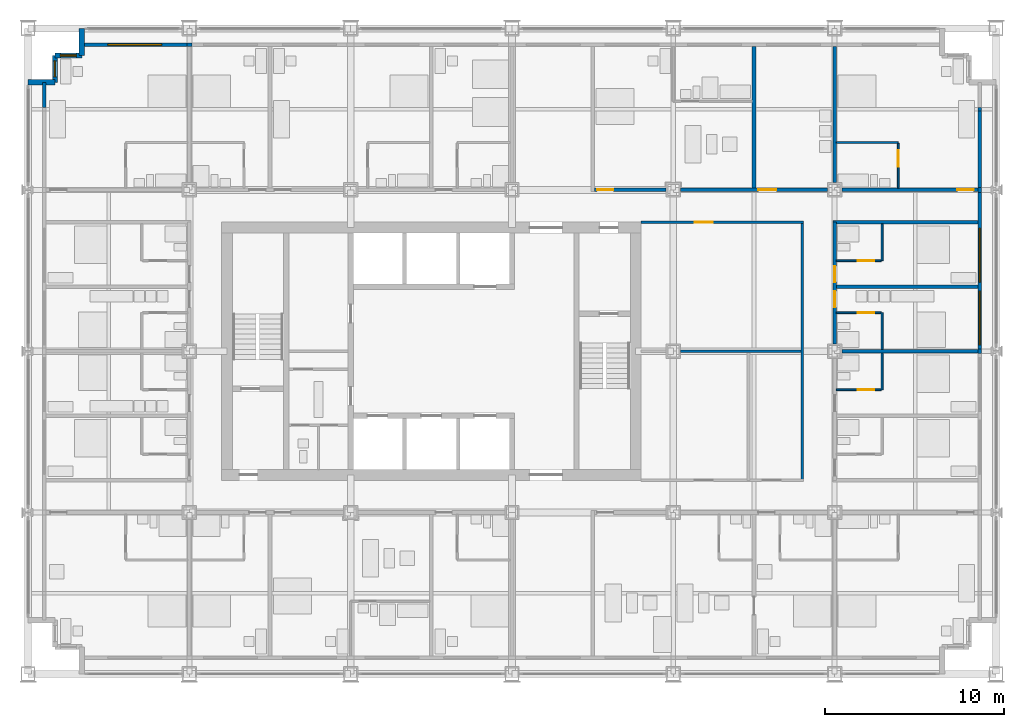
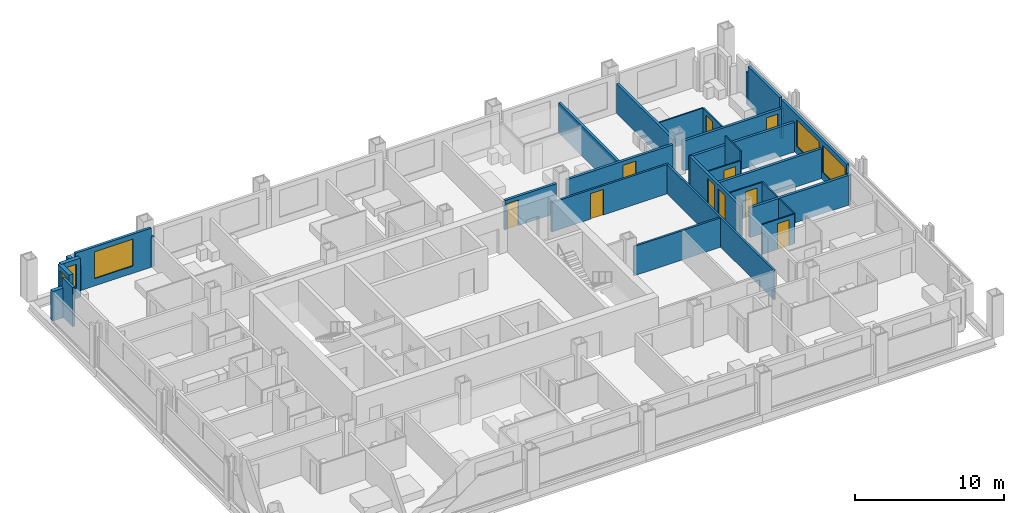
# One storey, part 14 of 18: 32 walls, 10 doors, 5 windows, 15 openings.
"""IFC4 building model written with IfcOpenShell, lengths in metres."""

from ifc_helpers import new_model, si_unit, direction, frame, frame_2d, origin, place, context, subcontext, project, spatial, rectangle, extrude, material, layer, layer_set, type_object, element, fill, save


model = new_model("IFC4")

# Units and contexts
model_context = context("Model", 3, precision=1e-05, world=origin(), true_north=direction((0.0, 1.0)))
body_context = subcontext(model_context, "Body", "Model", "MODEL_VIEW")
ifc_project = project(units=[si_unit("LENGTHUNIT", "METRE"), si_unit("AREAUNIT", "SQUARE_METRE"), si_unit("VOLUMEUNIT", "CUBIC_METRE"), si_unit("PLANEANGLEUNIT", "RADIAN"), si_unit("MASSUNIT", "GRAM", prefix="KILO")], contexts=[model_context])

# Site, building, storey
site_placement = place(None, origin())
site = spatial("IfcSite", under=ifc_project, at=site_placement, CompositionType="ELEMENT")
building_placement = place(site_placement, origin())
building = spatial("IfcBuilding", under=site, at=building_placement, Name="Loomwork Tower", CompositionType="ELEMENT")
storey_placement = place(building_placement, frame((0.0, 0.0, 58.60009765625)))
storey = spatial("IfcBuildingStorey", under=building, at=storey_placement, Name="L14", CompositionType="ELEMENT", Elevation=58.60009765625)

# Wall, opening, door
ifc_material_1 = material(Name="Gypsum board on steel studs, one-hour", Category="steel")
ifc_layer_1 = layer(ifc_material_1, 0.199951171875)
ifc_layer_set_1 = layer_set([ifc_layer_1], Name="Corridor wall 200")
wall_type_1 = type_object("IfcWallType", Name="Corridor wall 200", PredefinedType="PARTITIONING", material=ifc_layer_set_1)
wall_1_placement = place(storey_placement, frame((31.60009765625, 27.0, 0.0), z_axis=(0.0, 0.0, 1.0), x_axis=(1.0, 0.0, 0.0)))
wall_1 = element("IfcWall", 1, at=wall_1_placement, inside=storey, type_object=wall_type_1, Name="North corridor wall 4", PredefinedType="PARTITIONING", context=body_context, shape_type="SweptSolid", body=[
    extrude(rectangle(XDim=4.0, YDim=0.199951171875, at=frame_2d((2.0, 0.0))), origin(), (0.0, 0.0, 1.0), 2.40478515625),
])
opening_1_placement = place(wall_1_placement, frame((0.14990234375, 0.0, 0.0)))
opening_1 = element("IfcOpeningElement", 2, at=opening_1_placement, cuts=wall_1, Name="Opening D1", PredefinedType="OPENING", context=body_context, shape_type="SweptSolid", body=[
    extrude(rectangle(XDim=0.89990234375, YDim=2.10009765625, at=frame_2d((0.449951171875, 1.050048828125))), frame((0.0, 0.10986328125, 0.0), z_axis=(0.0, -1.0, 0.0), x_axis=(1.0, 0.0, 0.0)), (0.0, 0.0, 1.0), 0.219970703125),
])
ifc_material_2 = material(Name="Hollow metal door and frame")
door_type_1 = type_object("IfcDoorType", Name="Guest room entry door 900", OperationType="SINGLE_SWING_LEFT", PredefinedType="DOOR", material=ifc_material_2)
door_1_placement = place(opening_1_placement, origin())
door_1 = element("IfcDoor", 3, at=door_1_placement, inside=storey, type_object=door_type_1, Name="Guest room entry door L14 12", OperationType="SINGLE_SWING_LEFT", OverallHeight=2.10009765625, OverallWidth=0.89990234375, PredefinedType="DOOR", context=body_context, shape_type="SweptSolid", body=[
    extrude(rectangle(XDim=0.89990234375, YDim=2.10009765625, at=frame_2d((0.449951171875, 1.050048828125))), frame((0.0, 0.02490234375, 0.0), z_axis=(0.0, -1.0, 0.0), x_axis=(1.0, 0.0, 0.0)), (0.0, 0.0, 1.0), 0.050048828125),
])
fill(opening_1, door_1)

wall_2_placement = place(storey_placement, frame((36.39990234375, 27.0, 0.0), z_axis=(0.0, 0.0, 1.0), x_axis=(1.0, 0.0, 0.0)))
wall_2 = element("IfcWall", 4, at=wall_2_placement, inside=storey, type_object=wall_type_1, Name="North corridor wall 5", PredefinedType="PARTITIONING", context=body_context, shape_type="SweptSolid", body=[
    extrude(rectangle(XDim=8.2001953125, YDim=0.199951171875, at=frame_2d((4.10009765625, 0.0))), origin(), (0.0, 0.0, 1.0), 2.43798828125),
])
opening_2_placement = place(wall_2_placement, frame((4.35009765625, 0.0, 0.0)))
opening_2 = element("IfcOpeningElement", 5, at=opening_2_placement, cuts=wall_2, Name="Opening D15", PredefinedType="OPENING", context=body_context, shape_type="SweptSolid", body=[
    extrude(rectangle(XDim=1.0, YDim=2.10009765625, at=frame_2d((0.5, 1.050048828125))), frame((0.0, 0.10986328125, 0.0), z_axis=(0.0, -1.0, 0.0), x_axis=(1.0, 0.0, 0.0)), (0.0, 0.0, 1.0), 0.219970703125),
])
ifc_material_3 = material(Name="Hollow metal door and frame")
door_type_2 = type_object("IfcDoorType", Name="Fire-rated room door 1000", OperationType="SINGLE_SWING_LEFT", PredefinedType="DOOR", material=ifc_material_3)
door_2_placement = place(opening_2_placement, origin())
door_2 = element("IfcDoor", 6, at=door_2_placement, inside=storey, type_object=door_type_2, Name="Guest laundry door L14 13", OperationType="SINGLE_SWING_LEFT", OverallHeight=2.10009765625, OverallWidth=1.0, PredefinedType="DOOR", context=body_context, shape_type="SweptSolid", body=[
    extrude(rectangle(XDim=1.0, YDim=2.10009765625, at=frame_2d((0.5, 1.050048828125))), frame((0.0, 0.02490234375, 0.0), z_axis=(0.0, -1.0, 0.0), x_axis=(1.0, 0.0, 0.0)), (0.0, 0.0, 1.0), 0.050048828125),
])
fill(opening_2, door_2)

wall_3_placement = place(storey_placement, frame((45.39990234375, 27.0, 0.0), z_axis=(0.0, 0.0, 1.0), x_axis=(1.0, 0.0, 0.0)))
wall_3 = element("IfcWall", 7, at=wall_3_placement, inside=storey, type_object=wall_type_1, Name="North corridor wall 6", PredefinedType="PARTITIONING", context=body_context, shape_type="SweptSolid", body=[
    extrude(rectangle(XDim=7.60009765625, YDim=0.199951171875, at=frame_2d((3.800048828125, 0.0))), origin(), (0.0, 0.0, 1.0), 2.43798828125),
])
opening_3_placement = place(wall_3_placement, frame((6.449951171875, 0.0, 0.0)))
opening_3 = element("IfcOpeningElement", 8, at=opening_3_placement, cuts=wall_3, Name="Opening D1", PredefinedType="OPENING", context=body_context, shape_type="SweptSolid", body=[
    extrude(rectangle(XDim=0.89990234375, YDim=2.10009765625, at=frame_2d((0.449951171875, 1.050048828125))), frame((0.0, 0.10986328125, 0.0), z_axis=(0.0, -1.0, 0.0), x_axis=(1.0, 0.0, 0.0)), (0.0, 0.0, 1.0), 0.219970703125),
])
door_3_placement = place(opening_3_placement, origin())
door_3 = element("IfcDoor", 9, at=door_3_placement, inside=storey, type_object=door_type_1, Name="Guest room entry door L14 14", OperationType="SINGLE_SWING_RIGHT", OverallHeight=2.10009765625, OverallWidth=0.89990234375, PredefinedType="DOOR", context=body_context, shape_type="SweptSolid", body=[
    extrude(rectangle(XDim=0.89990234375, YDim=2.10009765625, at=frame_2d((0.449951171875, 1.050048828125))), frame((0.0, 0.02490234375, 0.0), z_axis=(0.0, -1.0, 0.0), x_axis=(1.0, 0.0, 0.0)), (0.0, 0.0, 1.0), 0.050048828125),
])
fill(opening_3, door_3)

# Wall, openings, doors
wall_4_placement = place(storey_placement, frame((45.0, 18.39990234375, 0.0), z_axis=(0.0, 0.0, 1.0), x_axis=(0.0, 1.0, 0.0)))
wall_4 = element("IfcWall", 10, at=wall_4_placement, inside=storey, type_object=wall_type_1, Name="East corridor wall 2", PredefinedType="PARTITIONING", context=body_context, shape_type="SweptSolid", body=[
    extrude(rectangle(XDim=6.800048828125, YDim=0.199951171875, at=frame_2d((3.39990234375, 0.0))), origin(), (0.0, 0.0, 1.0), 2.43798828125),
])
opening_4_placement = place(wall_4_placement, frame((2.050048828125, 0.0, 0.0)))
opening_4 = element("IfcOpeningElement", 11, at=opening_4_placement, cuts=wall_4, Name="Opening D1", PredefinedType="OPENING", context=body_context, shape_type="SweptSolid", body=[
    extrude(rectangle(XDim=0.89990234375, YDim=2.10009765625, at=frame_2d((0.449951171875, 1.050048828125))), frame((0.0, 0.10986328125, 0.0), z_axis=(0.0, -1.0, 0.0), x_axis=(1.0, 0.0, 0.0)), (0.0, 0.0, 1.0), 0.219970703125),
])
opening_5_placement = place(wall_4_placement, frame((3.449951171875, 0.0, 0.0)))
opening_5 = element("IfcOpeningElement", 12, at=opening_5_placement, cuts=wall_4, Name="Opening D1", PredefinedType="OPENING", context=body_context, shape_type="SweptSolid", body=[
    extrude(rectangle(XDim=0.89990234375, YDim=2.10009765625, at=frame_2d((0.449951171875, 1.050048828125))), frame((0.0, 0.10986328125, 0.0), z_axis=(0.0, -1.0, 0.0), x_axis=(1.0, 0.0, 0.0)), (0.0, 0.0, 1.0), 0.219970703125),
])
door_4_placement = place(opening_4_placement, frame((0.89990234375, 0.0, 0.0), z_axis=(0.0, 0.0, 1.0), x_axis=(-1.0, 0.0, 0.0)))
door_4 = element("IfcDoor", 13, at=door_4_placement, inside=storey, type_object=door_type_1, Name="Guest room entry door L14 21", OperationType="SINGLE_SWING_LEFT", OverallHeight=2.10009765625, OverallWidth=0.89990234375, PredefinedType="DOOR", context=body_context, shape_type="SweptSolid", body=[
    extrude(rectangle(XDim=0.89990234375, YDim=2.10009765625, at=frame_2d((0.449951171875, 1.050048828125))), frame((0.0, 0.02490234375, 0.0), z_axis=(0.0, -1.0, 0.0), x_axis=(1.0, 0.0, 0.0)), (0.0, 0.0, 1.0), 0.050048828125),
])
fill(opening_4, door_4)
door_5_placement = place(opening_5_placement, frame((0.89990234375, 0.0, 0.0), z_axis=(0.0, 0.0, 1.0), x_axis=(-1.0, 0.0, 0.0)))
door_5 = element("IfcDoor", 14, at=door_5_placement, inside=storey, type_object=door_type_1, Name="Guest room entry door L14 22", OperationType="SINGLE_SWING_RIGHT", OverallHeight=2.10009765625, OverallWidth=0.89990234375, PredefinedType="DOOR", context=body_context, shape_type="SweptSolid", body=[
    extrude(rectangle(XDim=0.89990234375, YDim=2.10009765625, at=frame_2d((0.449951171875, 1.050048828125))), frame((0.0, 0.02490234375, 0.0), z_axis=(0.0, -1.0, 0.0), x_axis=(1.0, 0.0, 0.0)), (0.0, 0.0, 1.0), 0.050048828125),
])
fill(opening_5, door_5)

# Walls
wall_5_placement = place(storey_placement, frame((44.89990234375, 25.199951171875, 0.0), z_axis=(0.0, 0.0, 1.0), x_axis=(1.0, 0.0, 0.0)))
element("IfcWall", 15, at=wall_5_placement, inside=storey, type_object=wall_type_1, Name="East band end wall N", PredefinedType="PARTITIONING", context=body_context, shape_type="SweptSolid", body=[
    extrude(rectangle(XDim=8.10009765625, YDim=0.199951171875, at=frame_2d((4.050048828125, 0.0))), origin(), (0.0, 0.0, 1.0), 2.43798828125),
])
ifc_material_4 = material(Name="Cement board on steel studs", Category="steel")
ifc_layer_2 = layer(ifc_material_4, 0.10009765625)
ifc_layer_set_2 = layer_set([ifc_layer_2], Name="En-suite partition 100")
wall_type_2 = type_object("IfcWallType", Name="En-suite partition 100", PredefinedType="PARTITIONING", material=ifc_layer_set_2)
wall_6_placement = place(storey_placement, frame((45.10009765625, 29.64990234375, 0.0), z_axis=(0.0, 0.0, 1.0), x_axis=(1.0, 0.0, 0.0)))
element("IfcWall", 16, at=wall_6_placement, inside=storey, type_object=wall_type_2, Name="En-suite wall L14 room 14", PredefinedType="PARTITIONING", context=body_context, shape_type="SweptSolid", body=[
    extrude(rectangle(XDim=3.449951171875, YDim=0.10009765625, at=frame_2d((1.72509765625, 0.0))), origin(), (0.0, 0.0, 1.0), 2.43798828125),
])

# Wall, opening, door
wall_7_placement = place(storey_placement, frame((48.550048828125, 27.10009765625, 0.0), z_axis=(0.0, 0.0, 1.0), x_axis=(0.0, 1.0, 0.0)))
wall_7 = element("IfcWall", 17, at=wall_7_placement, inside=storey, type_object=wall_type_2, Name="En-suite side wall L14 room 14", PredefinedType="PARTITIONING", context=body_context, shape_type="SweptSolid", body=[
    extrude(rectangle(XDim=2.5, YDim=0.10009765625, at=frame_2d((1.25, 0.0))), origin(), (0.0, 0.0, 1.0), 2.43798828125),
])
opening_6_placement = place(wall_7_placement, frame((1.199951171875, 0.0, 0.0)))
opening_6 = element("IfcOpeningElement", 18, at=opening_6_placement, cuts=wall_7, Name="Opening D2", PredefinedType="OPENING", context=body_context, shape_type="SweptSolid", body=[
    extrude(rectangle(XDim=0.89990234375, YDim=2.10009765625, at=frame_2d((0.449951171875, 1.050048828125))), frame((0.0, 0.06005859375, 0.0), z_axis=(0.0, -1.0, 0.0), x_axis=(1.0, 0.0, 0.0)), (0.0, 0.0, 1.0), 0.1201171875),
])
ifc_material_5 = material(Name="Hollow metal door and frame")
door_type_3 = type_object("IfcDoorType", Name="En-suite door 900", OperationType="SINGLE_SWING_LEFT", PredefinedType="DOOR", material=ifc_material_5)
door_6_placement = place(opening_6_placement, origin())
door_6 = element("IfcDoor", 19, at=door_6_placement, inside=storey, type_object=door_type_3, Name="En-suite door room 14", OperationType="SINGLE_SWING_RIGHT", OverallHeight=2.10009765625, OverallWidth=0.89990234375, PredefinedType="DOOR", context=body_context, shape_type="SweptSolid", body=[
    extrude(rectangle(XDim=0.89990234375, YDim=2.10009765625, at=frame_2d((0.449951171875, 1.050048828125))), frame((0.0, 0.02490234375, 0.0), z_axis=(0.0, -1.0, 0.0), x_axis=(1.0, 0.0, 0.0)), (0.0, 0.0, 1.0), 0.050048828125),
])
fill(opening_6, door_6)

# Wall
wall_8_placement = place(storey_placement, frame((47.64990234375, 15.85009765625, 0.0), z_axis=(0.0, 0.0, 1.0), x_axis=(0.0, 1.0, 0.0)))
element("IfcWall", 20, at=wall_8_placement, inside=storey, type_object=wall_type_2, Name="En-suite wall L14 room 20", PredefinedType="PARTITIONING", context=body_context, shape_type="SweptSolid", body=[
    extrude(rectangle(XDim=2.0498046875, YDim=0.10009765625, at=frame_2d((1.02490234375, 0.0))), origin(), (0.0, 0.0, 1.0), 2.43798828125),
])

# Wall, opening, door
wall_9_placement = place(storey_placement, frame((45.10009765625, 15.85009765625, 0.0), z_axis=(0.0, 0.0, 1.0), x_axis=(1.0, 0.0, 0.0)))
wall_9 = element("IfcWall", 21, at=wall_9_placement, inside=storey, type_object=wall_type_2, Name="En-suite side wall L14 room 20", PredefinedType="PARTITIONING", context=body_context, shape_type="SweptSolid", body=[
    extrude(rectangle(XDim=2.5, YDim=0.10009765625, at=frame_2d((1.25, 0.0))), origin(), (0.0, 0.0, 1.0), 2.43798828125),
])
opening_7_placement = place(wall_9_placement, frame((1.199951171875, 0.0, 0.0)))
opening_7 = element("IfcOpeningElement", 22, at=opening_7_placement, cuts=wall_9, Name="Opening D2", PredefinedType="OPENING", context=body_context, shape_type="SweptSolid", body=[
    extrude(rectangle(XDim=0.89990234375, YDim=2.10009765625, at=frame_2d((0.449951171875, 1.050048828125))), frame((0.0, 0.06005859375, 0.0), z_axis=(0.0, -1.0, 0.0), x_axis=(1.0, 0.0, 0.0)), (0.0, 0.0, 1.0), 0.1201171875),
])
door_7_placement = place(opening_7_placement, origin())
door_7 = element("IfcDoor", 23, at=door_7_placement, inside=storey, type_object=door_type_3, Name="En-suite door room 20", OperationType="SINGLE_SWING_RIGHT", OverallHeight=2.10009765625, OverallWidth=0.89990234375, PredefinedType="DOOR", context=body_context, shape_type="SweptSolid", body=[
    extrude(rectangle(XDim=0.89990234375, YDim=2.10009765625, at=frame_2d((0.449951171875, 1.050048828125))), frame((0.0, 0.02490234375, 0.0), z_axis=(0.0, -1.0, 0.0), x_axis=(1.0, 0.0, 0.0)), (0.0, 0.0, 1.0), 0.050048828125),
])
fill(opening_7, door_7)

# Wall
wall_10_placement = place(storey_placement, frame((47.64990234375, 18.10009765625, 0.0), z_axis=(0.0, 0.0, 1.0), x_axis=(0.0, 1.0, 0.0)))
element("IfcWall", 24, at=wall_10_placement, inside=storey, type_object=wall_type_2, Name="En-suite wall L14 room 21", PredefinedType="PARTITIONING", context=body_context, shape_type="SweptSolid", body=[
    extrude(rectangle(XDim=2.0498046875, YDim=0.10009765625, at=frame_2d((1.02490234375, 0.0))), origin(), (0.0, 0.0, 1.0), 2.43798828125),
])

# Wall, opening, door
wall_11_placement = place(storey_placement, frame((45.10009765625, 20.14990234375, 0.0), z_axis=(0.0, 0.0, 1.0), x_axis=(1.0, 0.0, 0.0)))
wall_11 = element("IfcWall", 25, at=wall_11_placement, inside=storey, type_object=wall_type_2, Name="En-suite side wall L14 room 21", PredefinedType="PARTITIONING", context=body_context, shape_type="SweptSolid", body=[
    extrude(rectangle(XDim=2.5, YDim=0.10009765625, at=frame_2d((1.25, 0.0))), origin(), (0.0, 0.0, 1.0), 2.43798828125),
])
opening_8_placement = place(wall_11_placement, frame((1.199951171875, 0.0, 0.0)))
opening_8 = element("IfcOpeningElement", 26, at=opening_8_placement, cuts=wall_11, Name="Opening D2", PredefinedType="OPENING", context=body_context, shape_type="SweptSolid", body=[
    extrude(rectangle(XDim=0.89990234375, YDim=2.10009765625, at=frame_2d((0.449951171875, 1.050048828125))), frame((0.0, 0.06005859375, 0.0), z_axis=(0.0, -1.0, 0.0), x_axis=(1.0, 0.0, 0.0)), (0.0, 0.0, 1.0), 0.1201171875),
])
door_8_placement = place(opening_8_placement, frame((0.89990234375, 0.0, 0.0), z_axis=(0.0, 0.0, 1.0), x_axis=(-1.0, 0.0, 0.0)))
door_8 = element("IfcDoor", 27, at=door_8_placement, inside=storey, type_object=door_type_3, Name="En-suite door room 21", OperationType="SINGLE_SWING_LEFT", OverallHeight=2.10009765625, OverallWidth=0.89990234375, PredefinedType="DOOR", context=body_context, shape_type="SweptSolid", body=[
    extrude(rectangle(XDim=0.89990234375, YDim=2.10009765625, at=frame_2d((0.449951171875, 1.050048828125))), frame((0.0, 0.02490234375, 0.0), z_axis=(0.0, -1.0, 0.0), x_axis=(1.0, 0.0, 0.0)), (0.0, 0.0, 1.0), 0.050048828125),
])
fill(opening_8, door_8)

# Wall
wall_12_placement = place(storey_placement, frame((47.64990234375, 23.050048828125, 0.0), z_axis=(0.0, 0.0, 1.0), x_axis=(0.0, 1.0, 0.0)))
element("IfcWall", 28, at=wall_12_placement, inside=storey, type_object=wall_type_2, Name="En-suite wall L14 room 22", PredefinedType="PARTITIONING", context=body_context, shape_type="SweptSolid", body=[
    extrude(rectangle(XDim=2.050048828125, YDim=0.10009765625, at=frame_2d((1.02490234375, 0.0))), origin(), (0.0, 0.0, 1.0), 3.199951171875),
])

# Wall, opening, door
wall_13_placement = place(storey_placement, frame((45.10009765625, 23.050048828125, 0.0), z_axis=(0.0, 0.0, 1.0), x_axis=(1.0, 0.0, 0.0)))
wall_13 = element("IfcWall", 29, at=wall_13_placement, inside=storey, type_object=wall_type_2, Name="En-suite side wall L14 room 22", PredefinedType="PARTITIONING", context=body_context, shape_type="SweptSolid", body=[
    extrude(rectangle(XDim=2.5, YDim=0.10009765625, at=frame_2d((1.25, 0.0))), origin(), (0.0, 0.0, 1.0), 2.43798828125),
])
opening_9_placement = place(wall_13_placement, frame((1.199951171875, 0.0, 0.0)))
opening_9 = element("IfcOpeningElement", 30, at=opening_9_placement, cuts=wall_13, Name="Opening D3", PredefinedType="OPENING", context=body_context, shape_type="SweptSolid", body=[
    extrude(rectangle(XDim=0.89990234375, YDim=2.10009765625, at=frame_2d((0.449951171875, 1.050048828125))), frame((0.0, 0.06005859375, 0.0), z_axis=(0.0, -1.0, 0.0), x_axis=(1.0, 0.0, 0.0)), (0.0, 0.0, 1.0), 0.1201171875),
])
ifc_material_6 = material(Name="Hollow metal door and frame")
door_type_4 = type_object("IfcDoorType", Name="Accessible en-suite door 900", OperationType="SLIDING_TO_LEFT", PredefinedType="DOOR", material=ifc_material_6)
door_9_placement = place(opening_9_placement, origin())
door_9 = element("IfcDoor", 31, at=door_9_placement, inside=storey, type_object=door_type_4, Name="Accessible en-suite door room 22", OperationType="SLIDING_TO_LEFT", OverallHeight=2.10009765625, OverallWidth=0.89990234375, PredefinedType="DOOR", context=body_context, shape_type="SweptSolid", body=[
    extrude(rectangle(XDim=0.89990234375, YDim=2.10009765625, at=frame_2d((0.449951171875, 1.050048828125))), frame((0.0, 0.02490234375, 0.0), z_axis=(0.0, -1.0, 0.0), x_axis=(1.0, 0.0, 0.0)), (0.0, 0.0, 1.0), 0.050048828125),
])
fill(opening_9, door_9)

# Walls
ifc_material_7 = material(Name="Gypsum board on steel studs, acoustic", Category="steel")
ifc_layer_3 = layer(ifc_material_7, 0.199951171875)
ifc_layer_set_3 = layer_set([ifc_layer_3], Name="Guest room party wall 200")
wall_type_3 = type_object("IfcWallType", Name="Guest room party wall 200", PredefinedType="PARTITIONING", material=ifc_layer_set_3)
wall_14_placement = place(storey_placement, frame((40.5, 27.10009765625, 0.0), z_axis=(0.0, 0.0, 1.0), x_axis=(0.0, 1.0, 0.0)))
element("IfcWall", 32, at=wall_14_placement, inside=storey, type_object=wall_type_3, Name="Guest room party wall N 40.5", PredefinedType="PARTITIONING", context=body_context, shape_type="SweptSolid", body=[
    extrude(rectangle(XDim=7.89990234375, YDim=0.199951171875, at=frame_2d((3.949951171875, 0.0))), origin(), (0.0, 0.0, 1.0), 2.43798828125),
])
for number, where, z_axis, x_axis, name in (
    (33, (45.0, 27.39990234375, 0.0), (0.0, 0.0, 1.0), (0.0, 1.0, 0.0), "Guest room party wall N 45"),
    (34, (45.39990234375, 18.0, 0.0), (0.0, 0.0, 1.0), (1.0, 0.0, 0.0), "Guest room party wall E 18"),
):
    element("IfcWall", number, at=place(storey_placement, frame(where, z_axis=z_axis, x_axis=x_axis)), inside=storey, type_object=wall_type_3, Name=name, PredefinedType="PARTITIONING", context=body_context, shape_type="SweptSolid", body=[
        extrude(rectangle(XDim=7.60009765625, YDim=0.199951171875, at=frame_2d((3.800048828125, 0.0))), origin(), (0.0, 0.0, 1.0), 2.43798828125),
    ])
wall_15_placement = place(storey_placement, frame((45.10009765625, 21.60009765625, 0.0), z_axis=(0.0, 0.0, 1.0), x_axis=(1.0, 0.0, 0.0)))
element("IfcWall", 35, at=wall_15_placement, inside=storey, type_object=wall_type_3, Name="Guest room party wall E 21.6", PredefinedType="PARTITIONING", context=body_context, shape_type="SweptSolid", body=[
    extrude(rectangle(XDim=7.89990234375, YDim=0.199951171875, at=frame_2d((3.949951171875, 0.0))), origin(), (0.0, 0.0, 1.0), 2.43798828125),
])

# Wall, opening, window
ifc_material_8 = material(Name="Insulated steel stud wall with gypsum lining", Category="steel")
ifc_layer_4 = layer(ifc_material_8, 0.199951171875)
ifc_layer_set_4 = layer_set([ifc_layer_4], Name="Inner skin wall 200")
wall_type_4 = type_object("IfcWallType", Name="Inner skin wall 200", PredefinedType="SOLIDWALL", material=ifc_layer_set_4)
wall_16_placement = place(storey_placement, frame((3.0, 35.10009765625, 0.0), z_axis=(0.0, 0.0, 1.0), x_axis=(1.0, 0.0, 0.0)))
wall_16 = element("IfcWall", 36, at=wall_16_placement, inside=storey, type_object=wall_type_4, Name="Inner skin wall N", PredefinedType="SOLIDWALL", context=body_context, shape_type="SweptSolid", body=[
    extrude(rectangle(XDim=5.86474609375, YDim=0.199951171875, at=frame_2d((2.932373046875, 0.0))), origin(), (0.0, 0.0, 1.0), 3.199951171875),
])
opening_10_placement = place(wall_16_placement, frame((1.449951171875, 0.0, 0.60009765625)))
opening_10 = element("IfcOpeningElement", 37, at=opening_10_placement, cuts=wall_16, Name="Opening CH1", PredefinedType="OPENING", context=body_context, shape_type="SweptSolid", body=[
    extrude(rectangle(XDim=3.0, YDim=2.199951171875, at=frame_2d((1.5, 1.10009765625))), frame((0.0, 0.10986328125, 0.0), z_axis=(0.0, -1.0, 0.0), x_axis=(1.0, 0.0, 0.0)), (0.0, 0.0, 1.0), 0.219970703125),
])
ifc_material_9 = material(Name="Aluminium frame with clear insulated glass", Category="aluminium")
window_type_1 = type_object("IfcWindowType", Name="Chicago window 3000", PartitioningType="TRIPLE_PANEL_VERTICAL", PredefinedType="WINDOW", material=ifc_material_9)
window_1_placement = place(opening_10_placement, origin())
window_1 = element("IfcWindow", 38, at=window_1_placement, inside=storey, type_object=window_type_1, Name="Chicago window L14 bay 7", OverallHeight=2.199951171875, OverallWidth=3.0, PartitioningType="TRIPLE_PANEL_VERTICAL", PredefinedType="WINDOW", context=body_context, shape_type="SweptSolid", body=[
    extrude(rectangle(XDim=3.0, YDim=2.199951171875, at=frame_2d((1.5, 1.10009765625))), frame((0.0, 0.030029296875, 0.0), z_axis=(0.0, -1.0, 0.0), x_axis=(1.0, 0.0, 0.0)), (0.0, 0.0, 1.0), 0.06005859375),
])
fill(opening_10, window_1)

# Walls
wall_17_placement = place(storey_placement, frame((0.89990234375, 31.607421875, 0.0), z_axis=(0.0, 0.0, 1.0), x_axis=(0.0, 1.0, 0.0)))
element("IfcWall", 39, at=wall_17_placement, inside=storey, type_object=wall_type_4, Name="Inner skin wall W bay 11", PredefinedType="SOLIDWALL", context=body_context, shape_type="SweptSolid", body=[
    extrude(rectangle(XDim=1.392578125, YDim=0.199951171875, at=frame_2d((0.6962890625, 0.0))), origin(), (0.0, 0.0, 1.0), 3.199951171875),
])
wall_18_placement = place(storey_placement, frame((8.86474609375, 35.10009765625, 0.0), z_axis=(0.0, 0.0, 1.0), x_axis=(1.0, 0.0, 0.0)))
element("IfcWall", 40, at=wall_18_placement, inside=storey, type_object=wall_type_4, Name="Inner skin wall N bay 2", PredefinedType="SOLIDWALL", context=body_context, shape_type="SweptSolid", body=[
    extrude(rectangle(XDim=0.2705078125, YDim=0.199951171875, at=frame_2d((0.13525390625, 0.0))), origin(), (0.0, 0.0, 1.0), 2.43798828125),
])
wall_19_placement = place(storey_placement, frame((53.10009765625, 17.864501953125, 0.0), z_axis=(0.0, 0.0, 1.0), x_axis=(0.0, 1.0, 0.0)))
element("IfcWall", 41, at=wall_19_placement, inside=storey, type_object=wall_type_4, Name="Inner skin wall E bay 6", PredefinedType="SOLIDWALL", context=body_context, shape_type="SweptSolid", body=[
    extrude(rectangle(XDim=0.27099609375, YDim=0.199951171875, at=frame_2d((0.135498046875, 0.0))), origin(), (0.0, 0.0, 1.0), 2.43798828125),
])

# Wall, openings, windows
wall_20_placement = place(storey_placement, frame((53.10009765625, 18.135498046875, 0.0), z_axis=(0.0, 0.0, 1.0), x_axis=(0.0, 1.0, 0.0)))
wall_20 = element("IfcWall", 42, at=wall_20_placement, inside=storey, type_object=wall_type_4, Name="Inner skin wall E bay 7", PredefinedType="SOLIDWALL", context=body_context, shape_type="SweptSolid", body=[
    extrude(rectangle(XDim=8.729248046875, YDim=0.199951171875, at=frame_2d((4.36474609375, 0.0))), origin(), (0.0, 0.0, 1.0), 3.199951171875),
])
opening_11_placement = place(wall_20_placement, frame((0.214599609375, 0.0, 0.60009765625)))
opening_11 = element("IfcOpeningElement", 43, at=opening_11_placement, cuts=wall_20, Name="Opening CH1", PredefinedType="OPENING", context=body_context, shape_type="SweptSolid", body=[
    extrude(rectangle(XDim=3.0, YDim=2.199951171875, at=frame_2d((1.5, 1.10009765625))), frame((0.0, 0.10986328125, 0.0), z_axis=(0.0, -1.0, 0.0), x_axis=(1.0, 0.0, 0.0)), (0.0, 0.0, 1.0), 0.219970703125),
])
opening_12_placement = place(wall_20_placement, frame((3.714599609375, 0.0, 0.60009765625)))
opening_12 = element("IfcOpeningElement", 44, at=opening_12_placement, cuts=wall_20, Name="Opening CH1", PredefinedType="OPENING", context=body_context, shape_type="SweptSolid", body=[
    extrude(rectangle(XDim=3.0, YDim=2.199951171875, at=frame_2d((1.5, 1.10009765625))), frame((0.0, 0.10986328125, 0.0), z_axis=(0.0, -1.0, 0.0), x_axis=(1.0, 0.0, 0.0)), (0.0, 0.0, 1.0), 0.219970703125),
])
window_2_placement = place(opening_11_placement, origin())
window_2 = element("IfcWindow", 45, at=window_2_placement, inside=storey, type_object=window_type_1, Name="Chicago window L14 bay 16", OverallHeight=2.199951171875, OverallWidth=3.0, PartitioningType="TRIPLE_PANEL_VERTICAL", PredefinedType="WINDOW", context=body_context, shape_type="SweptSolid", body=[
    extrude(rectangle(XDim=3.0, YDim=2.199951171875, at=frame_2d((1.5, 1.10009765625))), frame((0.0, 0.030029296875, 0.0), z_axis=(0.0, -1.0, 0.0), x_axis=(1.0, 0.0, 0.0)), (0.0, 0.0, 1.0), 0.06005859375),
])
fill(opening_11, window_2)
window_3_placement = place(opening_12_placement, origin())
window_3 = element("IfcWindow", 46, at=window_3_placement, inside=storey, type_object=window_type_1, Name="Chicago window L14 bay 16", OverallHeight=2.199951171875, OverallWidth=3.0, PartitioningType="TRIPLE_PANEL_VERTICAL", PredefinedType="WINDOW", context=body_context, shape_type="SweptSolid", body=[
    extrude(rectangle(XDim=3.0, YDim=2.199951171875, at=frame_2d((1.5, 1.10009765625))), frame((0.0, 0.030029296875, 0.0), z_axis=(0.0, -1.0, 0.0), x_axis=(1.0, 0.0, 0.0)), (0.0, 0.0, 1.0), 0.06005859375),
])
fill(opening_12, window_3)

# Walls
wall_21_placement = place(storey_placement, frame((53.10009765625, 26.86474609375, 0.0), z_axis=(0.0, 0.0, 1.0), x_axis=(0.0, 1.0, 0.0)))
element("IfcWall", 47, at=wall_21_placement, inside=storey, type_object=wall_type_4, Name="Inner skin wall E bay 8", PredefinedType="SOLIDWALL", context=body_context, shape_type="SweptSolid", body=[
    extrude(rectangle(XDim=0.2705078125, YDim=0.199951171875, at=frame_2d((0.13525390625, 0.0))), origin(), (0.0, 0.0, 1.0), 2.43798828125),
])
wall_22_placement = place(storey_placement, frame((53.10009765625, 27.13525390625, 0.0), z_axis=(0.0, 0.0, 1.0), x_axis=(0.0, 1.0, 0.0)))
element("IfcWall", 48, at=wall_22_placement, inside=storey, type_object=wall_type_4, Name="Inner skin wall E bay 9", PredefinedType="SOLIDWALL", context=body_context, shape_type="SweptSolid", body=[
    extrude(rectangle(XDim=4.25732421875, YDim=0.199951171875, at=frame_2d((2.128662109375, 0.0))), origin(), (0.0, 0.0, 1.0), 3.199951171875),
])
wall_23_placement = place(storey_placement, frame((53.10009765625, 31.392578125, 0.0), z_axis=(0.0, 0.0, 1.0), x_axis=(0.0, 1.0, 0.0)))
element("IfcWall", 49, at=wall_23_placement, inside=storey, type_object=wall_type_4, Name="Inner skin wall E bay 10", PredefinedType="SOLIDWALL", context=body_context, shape_type="SweptSolid", body=[
    extrude(rectangle(XDim=0.21484375, YDim=0.199951171875, at=frame_2d((0.107421875, 0.0))), origin(), (0.0, 0.0, 1.0), 2.660888671875),
])
ifc_material_10 = material(Name="Limestone on concrete masonry", Category="masonry")
ifc_layer_5 = layer(ifc_material_10, 0.300048828125)
ifc_layer_set_5 = layer_set([ifc_layer_5], Name="Limestone corner wall 300")
wall_type_5 = type_object("IfcWallType", Name="Limestone corner wall 300", PredefinedType="SOLIDWALL", material=ifc_layer_set_5)
wall_24_placement = place(storey_placement, frame((3.0, 36.0, 0.0), z_axis=(0.0, 0.0, 1.0), x_axis=(0.0, -1.0, 0.0)))
element("IfcWall", 50, at=wall_24_placement, inside=storey, type_object=wall_type_5, Name="Stone corner wall NW 1", PredefinedType="SOLIDWALL", context=body_context, shape_type="SweptSolid", body=[
    extrude(rectangle(XDim=1.5, YDim=0.300048828125, at=frame_2d((0.75, 0.0))), origin(), (0.0, 0.0, 1.0), 2.419921875),
])

# Wall, opening, window
wall_25_placement = place(storey_placement, frame((3.0, 34.5, 0.0), z_axis=(0.0, 0.0, 1.0), x_axis=(-1.0, 0.0, 0.0)))
wall_25 = element("IfcWall", 51, at=wall_25_placement, inside=storey, type_object=wall_type_5, Name="Stone corner wall NW 2", PredefinedType="SOLIDWALL", context=body_context, shape_type="SweptSolid", body=[
    extrude(rectangle(XDim=1.5, YDim=0.300048828125, at=frame_2d((0.75, 0.0))), origin(), (0.0, 0.0, 1.0), 3.199951171875),
])
opening_13_placement = place(wall_25_placement, frame((0.300048828125, 0.0, 0.60009765625)))
opening_13 = element("IfcOpeningElement", 52, at=opening_13_placement, cuts=wall_25, Name="Opening CH2", PredefinedType="OPENING", context=body_context, shape_type="SweptSolid", body=[
    extrude(rectangle(XDim=0.89990234375, YDim=2.199951171875, at=frame_2d((0.449951171875, 1.10009765625))), frame((0.0, 0.159912109375, 0.0), z_axis=(0.0, -1.0, 0.0), x_axis=(1.0, 0.0, 0.0)), (0.0, 0.0, 1.0), 0.320068359375),
])
ifc_material_11 = material(Name="Aluminium frame with clear insulated glass", Category="aluminium")
window_type_2 = type_object("IfcWindowType", Name="Corner window 900", PartitioningType="SINGLE_PANEL", PredefinedType="WINDOW", material=ifc_material_11)
window_4_placement = place(opening_13_placement, origin())
window_4 = element("IfcWindow", 53, at=window_4_placement, inside=storey, type_object=window_type_2, Name="Corner window NW", OverallHeight=2.199951171875, OverallWidth=0.89990234375, PartitioningType="SINGLE_PANEL", PredefinedType="WINDOW", context=body_context, shape_type="SweptSolid", body=[
    extrude(rectangle(XDim=0.89990234375, YDim=2.199951171875, at=frame_2d((0.449951171875, 1.10009765625))), frame((0.0, 0.030029296875, 0.0), z_axis=(0.0, -1.0, 0.0), x_axis=(1.0, 0.0, 0.0)), (0.0, 0.0, 1.0), 0.06005859375),
])
fill(opening_13, window_4)

wall_26_placement = place(storey_placement, frame((1.5, 34.5, 0.0), z_axis=(0.0, 0.0, 1.0), x_axis=(0.0, -1.0, 0.0)))
wall_26 = element("IfcWall", 54, at=wall_26_placement, inside=storey, type_object=wall_type_5, Name="Stone corner wall NW 3", PredefinedType="SOLIDWALL", context=body_context, shape_type="SweptSolid", body=[
    extrude(rectangle(XDim=1.5, YDim=0.300048828125, at=frame_2d((0.75, 0.0))), origin(), (0.0, 0.0, 1.0), 3.199951171875),
])
opening_14_placement = place(wall_26_placement, frame((0.300048828125, 0.0, 0.60009765625)))
opening_14 = element("IfcOpeningElement", 55, at=opening_14_placement, cuts=wall_26, Name="Opening CH2", PredefinedType="OPENING", context=body_context, shape_type="SweptSolid", body=[
    extrude(rectangle(XDim=0.89990234375, YDim=2.199951171875, at=frame_2d((0.449951171875, 1.10009765625))), frame((0.0, 0.159912109375, 0.0), z_axis=(0.0, -1.0, 0.0), x_axis=(1.0, 0.0, 0.0)), (0.0, 0.0, 1.0), 0.320068359375),
])
window_5_placement = place(opening_14_placement, origin())
window_5 = element("IfcWindow", 56, at=window_5_placement, inside=storey, type_object=window_type_2, Name="Corner window NW", OverallHeight=2.199951171875, OverallWidth=0.89990234375, PartitioningType="SINGLE_PANEL", PredefinedType="WINDOW", context=body_context, shape_type="SweptSolid", body=[
    extrude(rectangle(XDim=0.89990234375, YDim=2.199951171875, at=frame_2d((0.449951171875, 1.10009765625))), frame((0.0, 0.030029296875, 0.0), z_axis=(0.0, -1.0, 0.0), x_axis=(1.0, 0.0, 0.0)), (0.0, 0.0, 1.0), 0.06005859375),
])
fill(opening_14, window_5)

# Wall
wall_27_placement = place(storey_placement, frame((1.5, 33.0, 0.0), z_axis=(0.0, 0.0, 1.0), x_axis=(-1.0, 0.0, 0.0)))
element("IfcWall", 57, at=wall_27_placement, inside=storey, type_object=wall_type_5, Name="Stone corner wall NW 4", PredefinedType="SOLIDWALL", context=body_context, shape_type="SweptSolid", body=[
    extrude(rectangle(XDim=1.5, YDim=0.300048828125, at=frame_2d((0.75, 0.0))), origin(), (0.0, 0.0, 1.0), 2.419921875),
])

# Wall, opening, door
ifc_material_12 = material(Name="Gypsum board on steel studs, one-hour", Category="steel")
ifc_layer_6 = layer(ifc_material_12, 0.14990234375)
ifc_layer_set_6 = layer_set([ifc_layer_6], Name="Service partition 150")
wall_type_6 = type_object("IfcWallType", Name="Service partition 150", PredefinedType="PARTITIONING", material=ifc_layer_set_6)
wall_28_placement = place(storey_placement, frame((34.199951171875, 25.199951171875, 0.0), z_axis=(0.0, 0.0, 1.0), x_axis=(1.0, 0.0, 0.0)))
wall_28 = element("IfcWall", 58, at=wall_28_placement, inside=storey, type_object=wall_type_6, Name="Service block wall N", PredefinedType="PARTITIONING", context=body_context, shape_type="SweptSolid", body=[
    extrude(rectangle(XDim=9.074951171875, YDim=0.14990234375, at=frame_2d((4.53759765625, 0.0))), origin(), (0.0, 0.0, 1.0), 2.40380859375),
])
opening_15_placement = place(wall_28_placement, frame((3.0, 0.0, 0.0)))
opening_15 = element("IfcOpeningElement", 59, at=opening_15_placement, cuts=wall_28, Name="Opening D5", PredefinedType="OPENING", context=body_context, shape_type="SweptSolid", body=[
    extrude(rectangle(XDim=1.0, YDim=2.10009765625, at=frame_2d((0.5, 1.050048828125))), frame((0.0, 0.0849609375, 0.0), z_axis=(0.0, -1.0, 0.0), x_axis=(1.0, 0.0, 0.0)), (0.0, 0.0, 1.0), 0.169921875),
])
ifc_material_13 = material(Name="Hollow metal door and frame")
door_type_5 = type_object("IfcDoorType", Name="Service door 1000", OperationType="SINGLE_SWING_LEFT", PredefinedType="DOOR", material=ifc_material_13)
door_10_placement = place(opening_15_placement, frame((1.0, 0.0, 0.0), z_axis=(0.0, 0.0, 1.0), x_axis=(-1.0, 0.0, 0.0)))
door_10 = element("IfcDoor", 60, at=door_10_placement, inside=storey, type_object=door_type_5, Name="Riser room door", OperationType="SINGLE_SWING_LEFT", OverallHeight=2.10009765625, OverallWidth=1.0, PredefinedType="DOOR", context=body_context, shape_type="SweptSolid", body=[
    extrude(rectangle(XDim=1.0, YDim=2.10009765625, at=frame_2d((0.5, 1.050048828125))), frame((0.0, 0.02490234375, 0.0), z_axis=(0.0, -1.0, 0.0), x_axis=(1.0, 0.0, 0.0)), (0.0, 0.0, 1.0), 0.050048828125),
])
fill(opening_15, door_10)

# Walls
wall_29_placement = place(storey_placement, frame((43.199951171875, 10.800048828125, 0.0), z_axis=(0.0, 0.0, 1.0), x_axis=(0.0, 1.0, 0.0)))
element("IfcWall", 61, at=wall_29_placement, inside=storey, type_object=wall_type_6, Name="Service block east wall", PredefinedType="PARTITIONING", context=body_context, shape_type="SweptSolid", body=[
    extrude(rectangle(XDim=14.39990234375, YDim=0.14990234375, at=frame_2d((7.199951171875, 0.0))), origin(), (0.0, 0.0, 1.0), 2.40380859375),
])
wall_30_placement = place(storey_placement, frame((36.39990234375, 18.0, 0.0), z_axis=(0.0, 0.0, 1.0), x_axis=(1.0, 0.0, 0.0)))
element("IfcWall", 62, at=wall_30_placement, inside=storey, type_object=wall_type_6, Name="Service block divider", PredefinedType="PARTITIONING", context=body_context, shape_type="SweptSolid", body=[
    extrude(rectangle(XDim=6.72509765625, YDim=0.14990234375, at=frame_2d((3.362548828125, 0.0))), origin(), (0.0, 0.0, 1.0), 2.40478515625),
])

save(model, "model.ifc")
